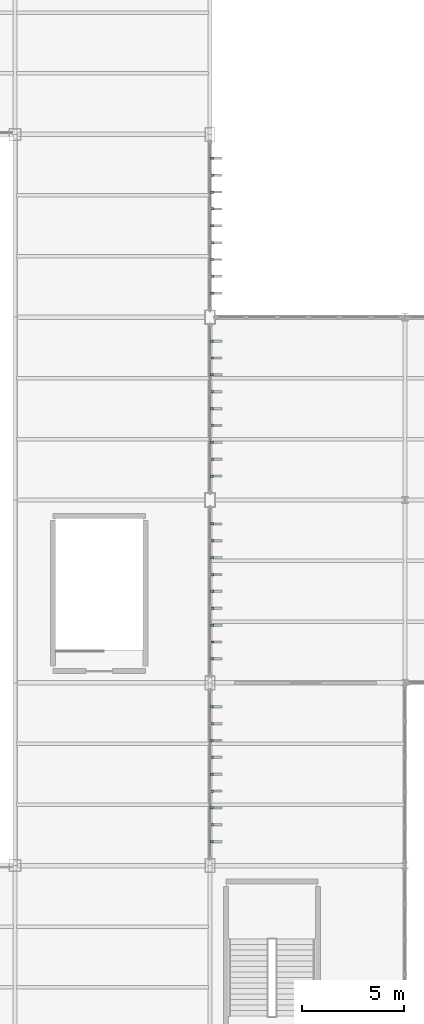
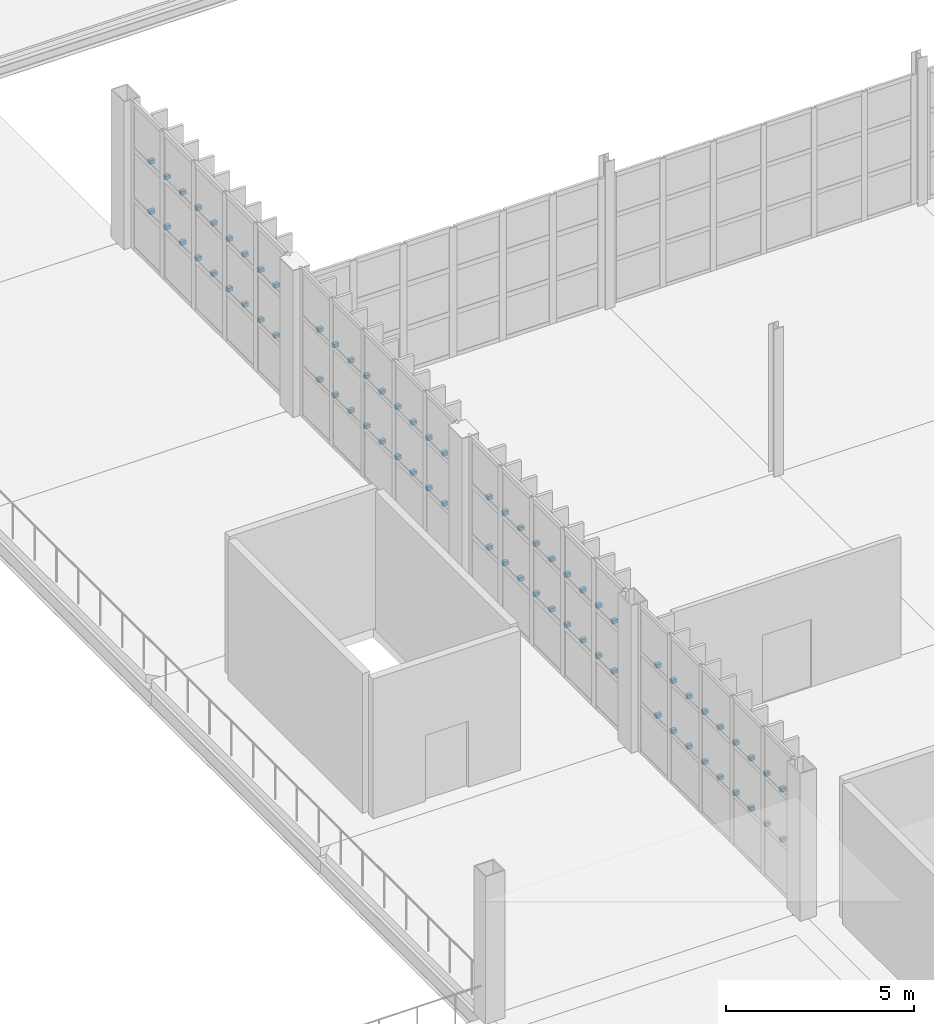
# One storey, part 113 of 120: 72 discrete accessories.
"""IFC4 building model written with IfcOpenShell, lengths in metres."""

from ifc_helpers import new_model, si_unit, direction, frame, origin, origin_2d, place, context, subcontext, project, spatial, rectangle, extrude, material, type_object, element, save


model = new_model("IFC4")

# Units and contexts
model_context = context("Model", 3, precision=1e-05, world=origin(), true_north=direction((0.0, 1.0)))
body_context = subcontext(model_context, "Body", "Model", "MODEL_VIEW")
ifc_project = project(units=[si_unit("LENGTHUNIT", "METRE"), si_unit("AREAUNIT", "SQUARE_METRE"), si_unit("VOLUMEUNIT", "CUBIC_METRE"), si_unit("PLANEANGLEUNIT", "RADIAN"), si_unit("MASSUNIT", "GRAM", prefix="KILO")], contexts=[model_context])

# Site, building, storey
site_placement = place(None, origin())
site = spatial("IfcSite", under=ifc_project, at=site_placement, CompositionType="ELEMENT")
building_placement = place(site_placement, origin())
building = spatial("IfcBuilding", under=site, at=building_placement, Name="Zarnetskaya Central Station", CompositionType="ELEMENT")
storey_placement = place(building_placement, frame((0.0, 0.0, 5.39990234375)))
storey = spatial("IfcBuildingStorey", under=building, at=storey_placement, Name="L01", CompositionType="ELEMENT", Elevation=5.39990234375)

# Discrete accessories
ifc_material = material(Name="Steel S355", Category="steel")
discrete_accessory_type = type_object("IfcDiscreteAccessoryType", Name="ACC-FIN-BRACKET", PredefinedType="BRACKET", material=ifc_material)
for number, where, z_axis, x_axis, name in (
    (1, (124.889892578125, 30.02001953125, 1.572021484375), (0.0, 0.0, 1.0), (0.0, -1.0, 0.0), "Timber blade lower fixing bracket CW-L01-089-01"),
    (2, (124.889892578125, 30.02001953125, 3.2041015625), (0.0, 0.0, 1.0), (0.0, -1.0, 0.0), "Timber blade upper fixing bracket CW-L01-089-01"),
    (3, (124.889892578125, 29.18994140625, 1.572021484375), (0.0, 0.0, 1.0), (0.0, -1.0, 0.0), "Timber blade lower fixing bracket CW-L01-089-02"),
    (4, (124.889892578125, 29.18994140625, 3.2041015625), (0.0, 0.0, 1.0), (0.0, -1.0, 0.0), "Timber blade upper fixing bracket CW-L01-089-02"),
    (5, (124.889892578125, 28.360107421875, 1.572021484375), (0.0, 0.0, 1.0), (0.0, -1.0, 0.0), "Timber blade lower fixing bracket CW-L01-089-03"),
    (6, (124.889892578125, 28.360107421875, 3.2041015625), (0.0, 0.0, 1.0), (0.0, -1.0, 0.0), "Timber blade upper fixing bracket CW-L01-089-03"),
    (7, (124.889892578125, 27.530029296875, 1.572021484375), (0.0, 0.0, 1.0), (0.0, -1.0, 0.0), "Timber blade lower fixing bracket CW-L01-089-04"),
    (8, (124.889892578125, 27.530029296875, 3.2041015625), (0.0, 0.0, 1.0), (0.0, -1.0, 0.0), "Timber blade upper fixing bracket CW-L01-089-04"),
    (9, (124.889892578125, 26.699951171875, 1.572021484375), (0.0, 0.0, 1.0), (0.0, -1.0, 0.0), "Timber blade lower fixing bracket CW-L01-089-05"),
    (10, (124.889892578125, 26.699951171875, 3.2041015625), (0.0, 0.0, 1.0), (0.0, -1.0, 0.0), "Timber blade upper fixing bracket CW-L01-089-05"),
    (11, (124.889892578125, 25.8701171875, 1.572021484375), (0.0, 0.0, 1.0), (0.0, -1.0, 0.0), "Timber blade lower fixing bracket CW-L01-089-06"),
    (12, (124.889892578125, 25.8701171875, 3.2041015625), (0.0, 0.0, 1.0), (0.0, -1.0, 0.0), "Timber blade upper fixing bracket CW-L01-089-06"),
    (13, (124.889892578125, 25.0400390625, 1.572021484375), (0.0, 0.0, 1.0), (0.0, -1.0, 0.0), "Timber blade lower fixing bracket CW-L01-089-07"),
    (14, (124.889892578125, 25.0400390625, 3.2041015625), (0.0, 0.0, 1.0), (0.0, -1.0, 0.0), "Timber blade upper fixing bracket CW-L01-089-07"),
    (15, (124.889892578125, 24.2099609375, 1.572021484375), (0.0, 0.0, 1.0), (0.0, -1.0, 0.0), "Timber blade lower fixing bracket CW-L01-089-08"),
    (16, (124.889892578125, 24.2099609375, 3.2041015625), (0.0, 0.0, 1.0), (0.0, -1.0, 0.0), "Timber blade upper fixing bracket CW-L01-089-08"),
    (17, (124.889892578125, 23.3798828125, 1.572021484375), (0.0, 0.0, 1.0), (0.0, -1.0, 0.0), "Timber blade lower fixing bracket CW-L01-089-09"),
    (18, (124.889892578125, 23.3798828125, 3.2041015625), (0.0, 0.0, 1.0), (0.0, -1.0, 0.0), "Timber blade upper fixing bracket CW-L01-089-09"),
    (19, (124.909912109375, 39.02001953125, 1.572021484375), (0.0, 0.0, 1.0), (0.0, -1.0, 0.0), "Timber blade lower fixing bracket CW-L01-092-01"),
    (20, (124.909912109375, 39.02001953125, 3.2041015625), (0.0, 0.0, 1.0), (0.0, -1.0, 0.0), "Timber blade upper fixing bracket CW-L01-092-01"),
    (21, (124.909912109375, 38.18994140625, 1.572021484375), (0.0, 0.0, 1.0), (0.0, -1.0, 0.0), "Timber blade lower fixing bracket CW-L01-092-02"),
    (22, (124.909912109375, 38.18994140625, 3.2041015625), (0.0, 0.0, 1.0), (0.0, -1.0, 0.0), "Timber blade upper fixing bracket CW-L01-092-02"),
    (23, (124.909912109375, 37.360107421875, 1.572021484375), (0.0, 0.0, 1.0), (0.0, -1.0, 0.0), "Timber blade lower fixing bracket CW-L01-092-03"),
    (24, (124.909912109375, 37.360107421875, 3.2041015625), (0.0, 0.0, 1.0), (0.0, -1.0, 0.0), "Timber blade upper fixing bracket CW-L01-092-03"),
    (25, (124.909912109375, 36.530029296875, 1.572021484375), (0.0, 0.0, 1.0), (0.0, -1.0, 0.0), "Timber blade lower fixing bracket CW-L01-092-04"),
    (26, (124.909912109375, 36.530029296875, 3.2041015625), (0.0, 0.0, 1.0), (0.0, -1.0, 0.0), "Timber blade upper fixing bracket CW-L01-092-04"),
    (27, (124.909912109375, 35.699951171875, 1.572021484375), (0.0, 0.0, 1.0), (0.0, -1.0, 0.0), "Timber blade lower fixing bracket CW-L01-092-05"),
    (28, (124.909912109375, 35.699951171875, 3.2041015625), (0.0, 0.0, 1.0), (0.0, -1.0, 0.0), "Timber blade upper fixing bracket CW-L01-092-05"),
    (29, (124.909912109375, 34.8701171875, 1.572021484375), (0.0, 0.0, 1.0), (0.0, -1.0, 0.0), "Timber blade lower fixing bracket CW-L01-092-06"),
    (30, (124.909912109375, 34.8701171875, 3.2041015625), (0.0, 0.0, 1.0), (0.0, -1.0, 0.0), "Timber blade upper fixing bracket CW-L01-092-06"),
    (31, (124.909912109375, 34.0400390625, 1.572021484375), (0.0, 0.0, 1.0), (0.0, -1.0, 0.0), "Timber blade lower fixing bracket CW-L01-092-07"),
    (32, (124.909912109375, 34.0400390625, 3.2041015625), (0.0, 0.0, 1.0), (0.0, -1.0, 0.0), "Timber blade upper fixing bracket CW-L01-092-07"),
    (33, (124.909912109375, 33.2099609375, 1.572021484375), (0.0, 0.0, 1.0), (0.0, -1.0, 0.0), "Timber blade lower fixing bracket CW-L01-092-08"),
    (34, (124.909912109375, 33.2099609375, 3.2041015625), (0.0, 0.0, 1.0), (0.0, -1.0, 0.0), "Timber blade upper fixing bracket CW-L01-092-08"),
    (35, (124.909912109375, 32.3798828125, 1.572021484375), (0.0, 0.0, 1.0), (0.0, -1.0, 0.0), "Timber blade lower fixing bracket CW-L01-092-09"),
    (36, (124.909912109375, 32.3798828125, 3.2041015625), (0.0, 0.0, 1.0), (0.0, -1.0, 0.0), "Timber blade upper fixing bracket CW-L01-092-09"),
    (37, (124.889892578125, 48.02001953125, 1.572021484375), (0.0, 0.0, 1.0), (0.0, -1.0, 0.0), "Timber blade lower fixing bracket CW-L01-095-01"),
    (38, (124.889892578125, 48.02001953125, 3.2041015625), (0.0, 0.0, 1.0), (0.0, -1.0, 0.0), "Timber blade upper fixing bracket CW-L01-095-01"),
    (39, (124.889892578125, 47.18994140625, 1.572021484375), (0.0, 0.0, 1.0), (0.0, -1.0, 0.0), "Timber blade lower fixing bracket CW-L01-095-02"),
    (40, (124.889892578125, 47.18994140625, 3.2041015625), (0.0, 0.0, 1.0), (0.0, -1.0, 0.0), "Timber blade upper fixing bracket CW-L01-095-02"),
    (41, (124.889892578125, 46.360107421875, 1.572021484375), (0.0, 0.0, 1.0), (0.0, -1.0, 0.0), "Timber blade lower fixing bracket CW-L01-095-03"),
    (42, (124.889892578125, 46.360107421875, 3.2041015625), (0.0, 0.0, 1.0), (0.0, -1.0, 0.0), "Timber blade upper fixing bracket CW-L01-095-03"),
    (43, (124.889892578125, 45.530029296875, 1.572021484375), (0.0, 0.0, 1.0), (0.0, -1.0, 0.0), "Timber blade lower fixing bracket CW-L01-095-04"),
    (44, (124.889892578125, 45.530029296875, 3.2041015625), (0.0, 0.0, 1.0), (0.0, -1.0, 0.0), "Timber blade upper fixing bracket CW-L01-095-04"),
    (45, (124.889892578125, 44.699951171875, 1.572021484375), (0.0, 0.0, 1.0), (0.0, -1.0, 0.0), "Timber blade lower fixing bracket CW-L01-095-05"),
    (46, (124.889892578125, 44.699951171875, 3.2041015625), (0.0, 0.0, 1.0), (0.0, -1.0, 0.0), "Timber blade upper fixing bracket CW-L01-095-05"),
    (47, (124.889892578125, 43.8701171875, 1.572021484375), (0.0, 0.0, 1.0), (0.0, -1.0, 0.0), "Timber blade lower fixing bracket CW-L01-095-06"),
    (48, (124.889892578125, 43.8701171875, 3.2041015625), (0.0, 0.0, 1.0), (0.0, -1.0, 0.0), "Timber blade upper fixing bracket CW-L01-095-06"),
    (49, (124.889892578125, 43.0400390625, 1.572021484375), (0.0, 0.0, 1.0), (0.0, -1.0, 0.0), "Timber blade lower fixing bracket CW-L01-095-07"),
    (50, (124.889892578125, 43.0400390625, 3.2041015625), (0.0, 0.0, 1.0), (0.0, -1.0, 0.0), "Timber blade upper fixing bracket CW-L01-095-07"),
    (51, (124.889892578125, 42.2099609375, 1.572021484375), (0.0, 0.0, 1.0), (0.0, -1.0, 0.0), "Timber blade lower fixing bracket CW-L01-095-08"),
    (52, (124.889892578125, 42.2099609375, 3.2041015625), (0.0, 0.0, 1.0), (0.0, -1.0, 0.0), "Timber blade upper fixing bracket CW-L01-095-08"),
    (53, (124.889892578125, 41.3798828125, 1.572021484375), (0.0, 0.0, 1.0), (0.0, -1.0, 0.0), "Timber blade lower fixing bracket CW-L01-095-09"),
    (54, (124.889892578125, 41.3798828125, 3.2041015625), (0.0, 0.0, 1.0), (0.0, -1.0, 0.0), "Timber blade upper fixing bracket CW-L01-095-09"),
    (55, (124.909912109375, 57.02001953125, 1.572021484375), (0.0, 0.0, 1.0), (0.0, -1.0, 0.0), "Timber blade lower fixing bracket CW-L01-098-01"),
    (56, (124.909912109375, 57.02001953125, 3.2041015625), (0.0, 0.0, 1.0), (0.0, -1.0, 0.0), "Timber blade upper fixing bracket CW-L01-098-01"),
    (57, (124.909912109375, 56.18994140625, 1.572021484375), (0.0, 0.0, 1.0), (0.0, -1.0, 0.0), "Timber blade lower fixing bracket CW-L01-098-02"),
    (58, (124.909912109375, 56.18994140625, 3.2041015625), (0.0, 0.0, 1.0), (0.0, -1.0, 0.0), "Timber blade upper fixing bracket CW-L01-098-02"),
    (59, (124.909912109375, 55.360107421875, 1.572021484375), (0.0, 0.0, 1.0), (0.0, -1.0, 0.0), "Timber blade lower fixing bracket CW-L01-098-03"),
    (60, (124.909912109375, 55.360107421875, 3.2041015625), (0.0, 0.0, 1.0), (0.0, -1.0, 0.0), "Timber blade upper fixing bracket CW-L01-098-03"),
    (61, (124.909912109375, 54.530029296875, 1.572021484375), (0.0, 0.0, 1.0), (0.0, -1.0, 0.0), "Timber blade lower fixing bracket CW-L01-098-04"),
    (62, (124.909912109375, 54.530029296875, 3.2041015625), (0.0, 0.0, 1.0), (0.0, -1.0, 0.0), "Timber blade upper fixing bracket CW-L01-098-04"),
    (63, (124.909912109375, 53.699951171875, 1.572021484375), (0.0, 0.0, 1.0), (0.0, -1.0, 0.0), "Timber blade lower fixing bracket CW-L01-098-05"),
    (64, (124.909912109375, 53.699951171875, 3.2041015625), (0.0, 0.0, 1.0), (0.0, -1.0, 0.0), "Timber blade upper fixing bracket CW-L01-098-05"),
    (65, (124.909912109375, 52.8701171875, 1.572021484375), (0.0, 0.0, 1.0), (0.0, -1.0, 0.0), "Timber blade lower fixing bracket CW-L01-098-06"),
    (66, (124.909912109375, 52.8701171875, 3.2041015625), (0.0, 0.0, 1.0), (0.0, -1.0, 0.0), "Timber blade upper fixing bracket CW-L01-098-06"),
    (67, (124.909912109375, 52.0400390625, 1.572021484375), (0.0, 0.0, 1.0), (0.0, -1.0, 0.0), "Timber blade lower fixing bracket CW-L01-098-07"),
    (68, (124.909912109375, 52.0400390625, 3.2041015625), (0.0, 0.0, 1.0), (0.0, -1.0, 0.0), "Timber blade upper fixing bracket CW-L01-098-07"),
    (69, (124.909912109375, 51.2099609375, 1.572021484375), (0.0, 0.0, 1.0), (0.0, -1.0, 0.0), "Timber blade lower fixing bracket CW-L01-098-08"),
    (70, (124.909912109375, 51.2099609375, 3.2041015625), (0.0, 0.0, 1.0), (0.0, -1.0, 0.0), "Timber blade upper fixing bracket CW-L01-098-08"),
    (71, (124.909912109375, 50.3798828125, 1.572021484375), (0.0, 0.0, 1.0), (0.0, -1.0, 0.0), "Timber blade lower fixing bracket CW-L01-098-09"),
    (72, (124.909912109375, 50.3798828125, 3.2041015625), (0.0, 0.0, 1.0), (0.0, -1.0, 0.0), "Timber blade upper fixing bracket CW-L01-098-09"),
):
    element("IfcDiscreteAccessory", number, at=place(storey_placement, frame(where, z_axis=z_axis, x_axis=x_axis)), inside=storey, type_object=discrete_accessory_type, Name=name, PredefinedType="BRACKET", context=body_context, shape_type="SweptSolid", body=[
        extrude(rectangle(XDim=0.1201171875, YDim=0.159912109375, at=origin_2d()), origin(), (0.0, 0.0, 1.0), 0.1201171875),
    ])

save(model, "model.ifc")
